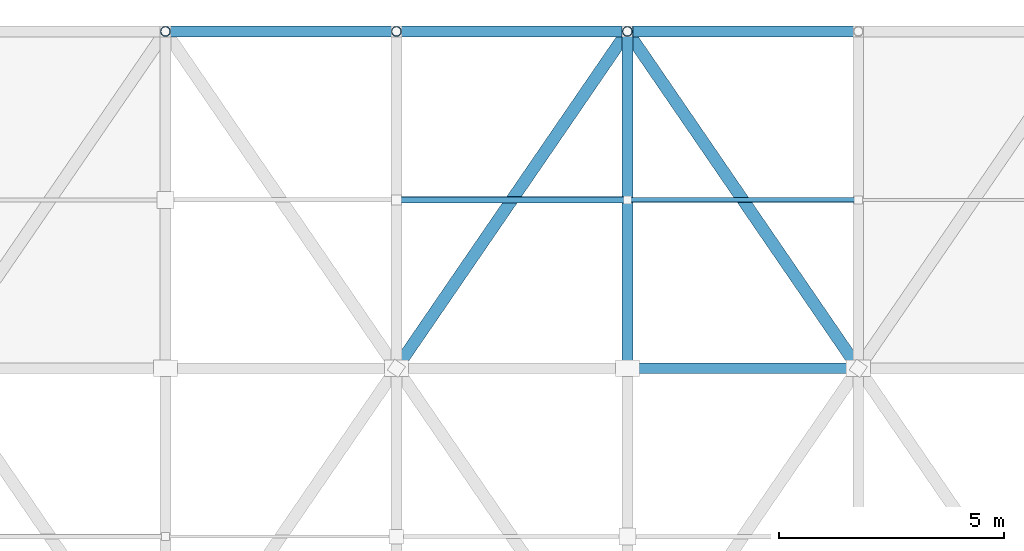
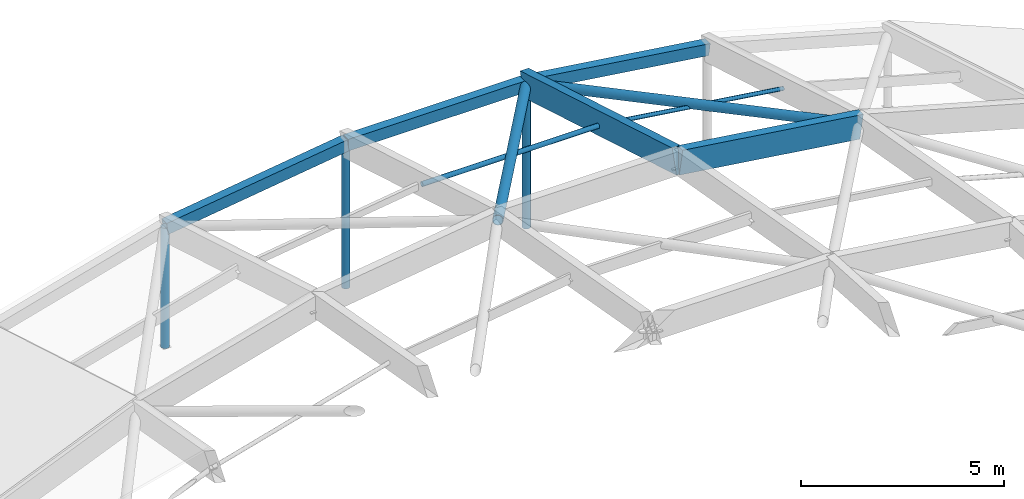
# One storey, part 45 of 81: 12 members.
"""IFC4 building model written with IfcOpenShell, lengths in metres."""

from ifc_helpers import new_model, si_unit, direction, frame, origin, origin_2d, place, context, subcontext, project, spatial, rectangle, hollow_rectangle, hollow_circle, extrude, material, material_profile, profile_set, type_object, element, save


model = new_model("IFC4")

# Units and contexts
model_context = context("Model", 3, precision=1e-05, world=origin(), true_north=direction((0.0, 1.0)))
body_context = subcontext(model_context, "Body", "Model", "MODEL_VIEW")
ifc_project = project(units=[si_unit("LENGTHUNIT", "METRE"), si_unit("AREAUNIT", "SQUARE_METRE"), si_unit("VOLUMEUNIT", "CUBIC_METRE"), si_unit("PLANEANGLEUNIT", "RADIAN"), si_unit("MASSUNIT", "GRAM", prefix="KILO")], contexts=[model_context])

# Site, building, storey
site_placement = place(None, origin())
site = spatial("IfcSite", under=ifc_project, at=site_placement, CompositionType="ELEMENT")
building_placement = place(site_placement, origin())
building = spatial("IfcBuilding", under=site, at=building_placement, Name="Marnridge Secondary College", CompositionType="ELEMENT")
storey_placement = place(building_placement, frame((0.0, 0.0, 8.5)))
storey = spatial("IfcBuildingStorey", under=building, at=storey_placement, Name="L02", CompositionType="ELEMENT", Elevation=8.5)

# Members
ifc_material_1 = material(Name="Cold-formed steel Grade C350L0 (AS/NZS 1163, fy = 350 MPa)", Category="steel")
ifc_material_profile_1 = material_profile(ifc_material_1, hollow_circle(Radius=0.109619140625, WallThickness=0.00830078125, at=origin_2d()), Name="219.1x8.2CHS")
ifc_profile_set_1 = profile_set([ifc_material_profile_1], Name="Cold-formed steel Grade C350L0 (AS/NZS 1163, fy = 350 MPa)")
member_type_1 = type_object("IfcMemberType", Name="MB-GS-CHS219", PredefinedType="BRACE", material=ifc_profile_set_1)
member_1_placement = place(storey_placement, frame((145.28564453125, 120.0, 0.090087890625), z_axis=(0.0, 0.0, 1.0), x_axis=(1.0, 0.0, 0.0)))
element("IfcMember", 1, at=member_1_placement, inside=storey, type_object=member_type_1, Name="Gridshell boundary post GSP-0009", PredefinedType="BRACE", context=body_context, shape_type="SweptSolid", body=[
    extrude(hollow_circle(Radius=0.109619140625, WallThickness=0.00830078125, at=origin_2d()), origin(), (0.0, 0.0, 1.0), 3.621826171875),
])
for number, where, z_axis, x_axis, name in (
    (2, (150.4287109375, 120.0, 0.090087890625), (0.0, 0.0, 1.0), (1.0, 0.0, 0.0), "Gridshell boundary post GSP-0011"),
    (3, (155.5712890625, 120.0, 0.090087890625), (0.0, 0.0, 1.0), (1.0, 0.0, 0.0), "Gridshell boundary post GSP-0013"),
):
    element("IfcMember", number, at=place(storey_placement, frame(where, z_axis=z_axis, x_axis=x_axis)), inside=storey, type_object=member_type_1, Name=name, PredefinedType="BRACE", context=body_context, shape_type="SweptSolid", body=[
        extrude(hollow_circle(Radius=0.109619140625, WallThickness=0.00830078125, at=origin_2d()), origin(), (0.0, 0.0, 1.0), 4.340087890625),
    ])
ifc_material_2 = material(Name="Cold-formed steel Grade C350L0 (AS/NZS 1163, fy = 350 MPa)", Category="steel")
ifc_material_profile_2 = material_profile(ifc_material_2, hollow_circle(Radius=0.136474609375, WallThickness=0.00927734375, at=origin_2d()), Name="273.1x9.3CHS")
ifc_profile_set_2 = profile_set([ifc_material_profile_2], Name="Cold-formed steel Grade C350L0 (AS/NZS 1163, fy = 350 MPa)")
member_type_2 = type_object("IfcMemberType", Name="MB-GS-CHS273", PredefinedType="BRACE", material=ifc_profile_set_2)
member_2_placement = place(storey_placement, frame((150.4287109375, 112.5, 6.63232421875), z_axis=(0.549343807116, 0.801169851624, -0.237377864241), x_axis=(-0.824743162089, 0.565507485881, 0.0)))
element("IfcMember", 4, at=member_2_placement, inside=storey, type_object=member_type_2, Name="Gridshell member GR-0121", PredefinedType="BRACE", context=body_context, shape_type="SweptSolid", body=[
    extrude(hollow_circle(Radius=0.136474609375, WallThickness=0.00927734375, at=origin_2d()), origin(), (0.0, 0.0, 1.0), 9.361328125),
])
member_3_placement = place(storey_placement, frame((160.71435546875, 112.5, 5.9140625), z_axis=(-0.557965767558, 0.813666969495, -0.163157178779), x_axis=(-0.824718119143, -0.565544007092, 0.0)))
element("IfcMember", 5, at=member_3_placement, inside=storey, type_object=member_type_2, Name="Gridshell member GR-0127", PredefinedType="BRACE", context=body_context, shape_type="SweptSolid", body=[
    extrude(hollow_circle(Radius=0.136474609375, WallThickness=0.00927734375, at=origin_2d()), origin(), (0.0, 0.0, 1.0), 9.217529296875),
])
ifc_material_3 = material(Name="Glulam timber GL18", Category="wood")
ifc_material_profile_3 = material_profile(ifc_material_3, rectangle(XDim=0.239990234375, YDim=0.719970703125, at=origin_2d()), Name="GL18 240x720")
ifc_profile_set_3 = profile_set([ifc_material_profile_3], Name="Glulam timber GL18")
member_type_3 = type_object("IfcMemberType", Name="MB-GS-GL720", PredefinedType="CHORD", material=ifc_profile_set_3)
member_4_placement = place(storey_placement, frame((155.5712890625, 112.5, 6.63232421875), z_axis=(0.0, 0.958800001874, -0.28408195368), x_axis=(-1.0, 0.0, 0.0)))
element("IfcMember", 6, at=member_4_placement, inside=storey, type_object=member_type_3, Name="Gridshell member GR-0030", PredefinedType="CHORD", context=body_context, shape_type="SweptSolid", body=[
    extrude(rectangle(XDim=0.239990234375, YDim=0.719970703125, at=origin_2d()), origin(), (0.0, 0.0, 1.0), 7.822265625),
])
member_5_placement = place(storey_placement, frame((155.5712890625, 112.5, 6.63232421875), z_axis=(0.990388427346, 0.0, -0.138314001389), x_axis=(0.0, 1.0, 0.0)))
element("IfcMember", 7, at=member_5_placement, inside=storey, type_object=member_type_3, Name="Gridshell member GR-0088", PredefinedType="CHORD", context=body_context, shape_type="SweptSolid", body=[
    extrude(rectangle(XDim=0.239990234375, YDim=0.719970703125, at=origin_2d()), origin(), (0.0, 0.0, 1.0), 5.19287109375),
])
ifc_material_4 = material(Name="Cold-formed steel Grade C350L0 (AS/NZS 1163, fy = 350 MPa)", Category="steel")
ifc_material_profile_4 = material_profile(ifc_material_4, hollow_rectangle(XDim=0.25, YDim=0.35009765625, WallThickness=0.010009765625, at=origin_2d()), Name="350x250x10.0RHS")
ifc_profile_set_4 = profile_set([ifc_material_profile_4], Name="Cold-formed steel Grade C350L0 (AS/NZS 1163, fy = 350 MPa)")
member_type_4 = type_object("IfcMemberType", Name="MB-GS-RHS350", PredefinedType="CHORD", material=ifc_profile_set_4)
member_6_placement = place(storey_placement, frame((145.28564453125, 120.0, 3.69189453125), z_axis=(0.990388427346, 0.0, 0.138314001389), x_axis=(0.0, 1.0, 0.0)))
element("IfcMember", 8, at=member_6_placement, inside=storey, type_object=member_type_4, Name="Gridshell member GR-0093", PredefinedType="CHORD", context=body_context, shape_type="SweptSolid", body=[
    extrude(hollow_rectangle(XDim=0.25, YDim=0.35009765625, WallThickness=0.010009765625, at=origin_2d()), origin(), (0.0, 0.0, 1.0), 5.19287109375),
])
member_7_placement = place(storey_placement, frame((150.4287109375, 120.0, 4.41015625), z_axis=(1.0, 0.0, 0.0), x_axis=(0.0, 1.0, 0.0)))
element("IfcMember", 9, at=member_7_placement, inside=storey, type_object=member_type_4, Name="Gridshell member GR-0094", PredefinedType="CHORD", context=body_context, shape_type="SweptSolid", body=[
    extrude(hollow_rectangle(XDim=0.25, YDim=0.35009765625, WallThickness=0.010009765625, at=origin_2d()), origin(), (0.0, 0.0, 1.0), 5.142578125),
])
member_8_placement = place(storey_placement, frame((155.5712890625, 120.0, 4.41015625), z_axis=(0.990388427346, 0.0, -0.138314001389), x_axis=(0.0, 1.0, 0.0)))
element("IfcMember", 10, at=member_8_placement, inside=storey, type_object=member_type_4, Name="Gridshell member GR-0095", PredefinedType="CHORD", context=body_context, shape_type="SweptSolid", body=[
    extrude(hollow_rectangle(XDim=0.25, YDim=0.35009765625, WallThickness=0.010009765625, at=origin_2d()), origin(), (0.0, 0.0, 1.0), 5.19287109375),
])
ifc_material_5 = material(Name="Cold-formed steel Grade C350L0 (AS/NZS 1163, fy = 350 MPa)", Category="steel")
ifc_material_profile_5 = material_profile(ifc_material_5, hollow_circle(Radius=0.05712890625, WallThickness=0.00439453125, at=origin_2d()), Name="114.3x4.5CHS")
ifc_profile_set_5 = profile_set([ifc_material_profile_5], Name="Cold-formed steel Grade C350L0 (AS/NZS 1163, fy = 350 MPa)")
member_type_5 = type_object("IfcMemberType", Name="MB-PR-CHS114", PredefinedType="PURLIN", material=ifc_profile_set_5)
member_9_placement = place(storey_placement, frame((155.5712890625, 116.25, 5.44140625), z_axis=(0.990381986176, 0.0, -0.138360115129), x_axis=(0.0, 1.0, 0.0)))
element("IfcMember", 11, at=member_9_placement, inside=storey, type_object=member_type_5, Name="Gridshell purlin PR-0052", PredefinedType="PURLIN", context=body_context, shape_type="SweptSolid", body=[
    extrude(hollow_circle(Radius=0.05712890625, WallThickness=0.00439453125, at=origin_2d()), origin(), (0.0, 0.0, 1.0), 5.193115234375),
])
ifc_material_6 = material(Name="Cold-formed steel Grade C350L0 (AS/NZS 1163, fy = 350 MPa)", Category="steel")
ifc_material_profile_6 = material_profile(ifc_material_6, hollow_circle(Radius=0.06982421875, WallThickness=0.00537109375, at=origin_2d()), Name="139.7x5.4CHS")
ifc_profile_set_6 = profile_set([ifc_material_profile_6], Name="Cold-formed steel Grade C350L0 (AS/NZS 1163, fy = 350 MPa)")
member_type_6 = type_object("IfcMemberType", Name="MB-PR-CHS139", PredefinedType="PURLIN", material=ifc_profile_set_6)
member_10_placement = place(storey_placement, frame((150.4287109375, 116.25, 5.44140625), z_axis=(1.0, 0.0, 0.0), x_axis=(0.0, 1.0, 0.0)))
element("IfcMember", 12, at=member_10_placement, inside=storey, type_object=member_type_6, Name="Gridshell purlin PR-0046", PredefinedType="PURLIN", context=body_context, shape_type="SweptSolid", body=[
    extrude(hollow_circle(Radius=0.06982421875, WallThickness=0.00537109375, at=origin_2d()), origin(), (0.0, 0.0, 1.0), 5.142578125),
])

save(model, "model.ifc")
